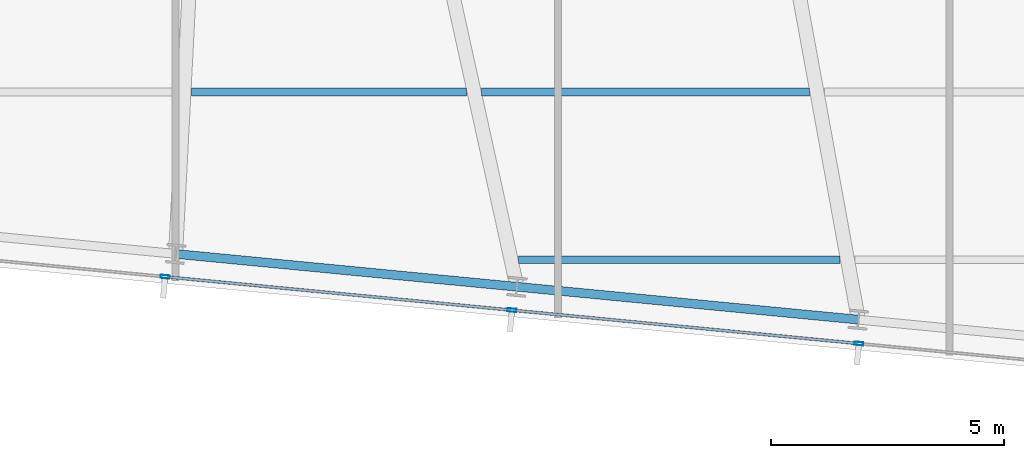
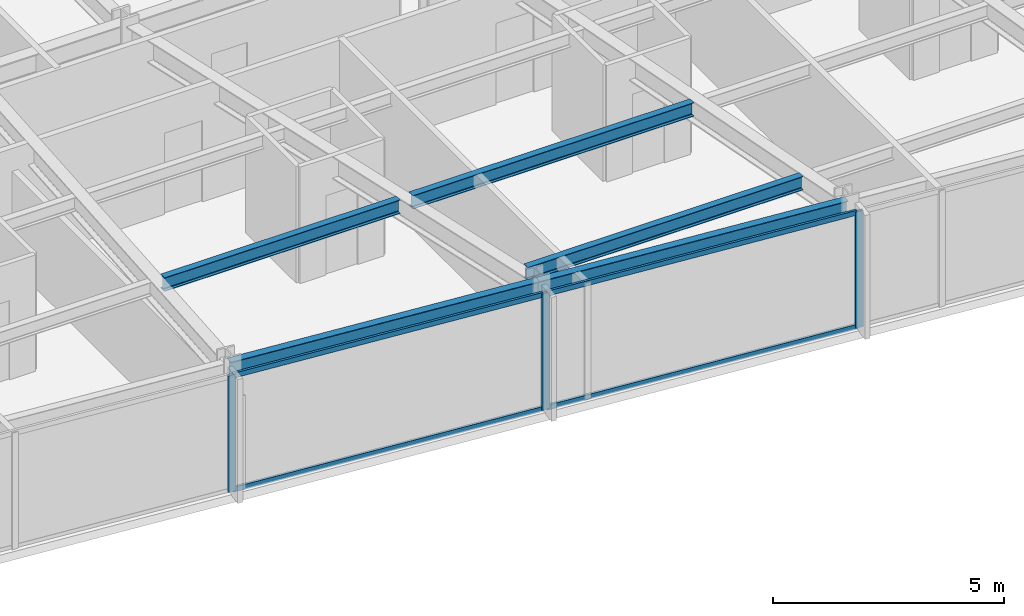
# One storey, part 6 of 37: 7 members, 5 beams, 1 element without a shape of its own.
"""IFC4 building model written with IfcOpenShell, lengths in metres."""

from ifc_helpers import new_model, si_unit, direction, frame, origin, origin_2d, place, context, subcontext, project, spatial, hollow_rectangle, i_section, extrude, material, material_profile, profile_set, type_object, element, aggregate, save


model = new_model("IFC4")

# Units and contexts
model_context = context("Model", 3, precision=1e-05, world=origin(), true_north=direction((0.0, 1.0)))
body_context = subcontext(model_context, "Body", "Model", "MODEL_VIEW")
ifc_project = project(units=[si_unit("LENGTHUNIT", "METRE"), si_unit("AREAUNIT", "SQUARE_METRE"), si_unit("VOLUMEUNIT", "CUBIC_METRE"), si_unit("PLANEANGLEUNIT", "RADIAN"), si_unit("MASSUNIT", "GRAM", prefix="KILO")], contexts=[model_context])

# Site, building, storey
site_placement = place(None, origin())
site = spatial("IfcSite", under=ifc_project, at=site_placement, CompositionType="ELEMENT")
building_placement = place(site_placement, origin())
building = spatial("IfcBuilding", under=site, at=building_placement, Name="Yelkora Congress Tower", CompositionType="ELEMENT")
storey_placement = place(building_placement, frame((0.0, 0.0, 165.5)))
storey = spatial("IfcBuildingStorey", under=building, at=storey_placement, Name="L45", CompositionType="ELEMENT", Elevation=165.5)

# Beams
ifc_material_1 = material(Name="Steel S355J2", Category="steel")
ifc_material_profile_1 = material_profile(ifc_material_1, i_section(OverallWidth=0.169921875, OverallDepth=0.360107421875, WebThickness=0.008056640625, FlangeThickness=0.0126953125, FilletRadius=0.01806640625, at=origin_2d()), Name="IPE 360")
ifc_profile_set_1 = profile_set([ifc_material_profile_1], Name="Steel S355J2")
beam_type_1 = type_object("IfcBeamType", Name="BM-JOIST-IPE360", PredefinedType="JOIST", material=ifc_profile_set_1)
beam_1_placement = place(storey_placement, frame((25.921630859375, 12.8212890625, 2.89990234375), z_axis=(1.0, 0.0, 0.0), x_axis=(0.0, 1.0, 0.0)))
element("IfcBeam", 1, at=beam_1_placement, inside=storey, type_object=beam_type_1, Name="L45 Composite Floor Joist 1", PredefinedType="JOIST", context=body_context, shape_type="SweptSolid", body=[
    extrude(i_section(OverallWidth=0.169921875, OverallDepth=0.360107421875, WebThickness=0.008056640625, FlangeThickness=0.0126953125, FilletRadius=0.01806640625, at=origin_2d()), origin(), (0.0, 0.0, 1.0), 6.896484375),
])
beam_2_placement = place(storey_placement, frame((18.905517578125, 16.421142578125, 2.89990234375), z_axis=(1.0, 0.0, 0.0), x_axis=(0.0, 1.0, 0.0)))
element("IfcBeam", 2, at=beam_2_placement, inside=storey, type_object=beam_type_1, Name="L45 Composite Floor Joist 7", PredefinedType="JOIST", context=body_context, shape_type="SweptSolid", body=[
    extrude(i_section(OverallWidth=0.169921875, OverallDepth=0.360107421875, WebThickness=0.008056640625, FlangeThickness=0.0126953125, FilletRadius=0.01806640625, at=origin_2d()), origin(), (0.0, 0.0, 1.0), 5.904541015625),
])
beam_3_placement = place(storey_placement, frame((25.130126953125, 16.421142578125, 2.89990234375), z_axis=(1.0, 0.0, 0.0), x_axis=(0.0, 1.0, 0.0)))
element("IfcBeam", 3, at=beam_3_placement, inside=storey, type_object=beam_type_1, Name="L45 Composite Floor Joist 8", PredefinedType="JOIST", context=body_context, shape_type="SweptSolid", body=[
    extrude(i_section(OverallWidth=0.169921875, OverallDepth=0.360107421875, WebThickness=0.008056640625, FlangeThickness=0.0126953125, FilletRadius=0.01806640625, at=origin_2d()), origin(), (0.0, 0.0, 1.0), 7.03125),
])
ifc_material_profile_2 = material_profile(ifc_material_1, i_section(OverallWidth=0.18994140625, OverallDepth=0.449951171875, WebThickness=0.009521484375, FlangeThickness=0.0146484375, FilletRadius=0.02099609375, at=origin_2d()), Name="IPE 450")
ifc_profile_set_2 = profile_set([ifc_material_profile_2], Name="Steel S355J2")
beam_type_2 = type_object("IfcBeamType", Name="BM-SPAN-IPE450", PredefinedType="SPANDREL", material=ifc_profile_set_2)
beam_4_placement = place(storey_placement, frame((18.56591796875, 12.947021484375, 2.85498046875), z_axis=(0.99539363353, -0.09587238564, 0.0), x_axis=(0.09587238564, 0.99539363353, 0.0)))
element("IfcBeam", 4, at=beam_4_placement, inside=storey, type_object=beam_type_2, Name="L45 Perimeter Beam 4", PredefinedType="SPANDREL", context=body_context, shape_type="SweptSolid", body=[
    extrude(i_section(OverallWidth=0.18994140625, OverallDepth=0.449951171875, WebThickness=0.009521484375, FlangeThickness=0.0146484375, FilletRadius=0.02099609375, at=origin_2d()), origin(), (0.0, 0.0, 1.0), 7.35693359375),
])
beam_5_placement = place(storey_placement, frame((25.888916015625, 12.24169921875, 2.85498046875), z_axis=(0.995397409467, -0.095833173935, 0.0), x_axis=(0.095833173935, 0.995397409467, 0.0)))
element("IfcBeam", 5, at=beam_5_placement, inside=storey, type_object=beam_type_2, Name="L45 Perimeter Beam 5", PredefinedType="SPANDREL", context=body_context, shape_type="SweptSolid", body=[
    extrude(i_section(OverallWidth=0.18994140625, OverallDepth=0.449951171875, WebThickness=0.009521484375, FlangeThickness=0.0146484375, FilletRadius=0.02099609375, at=origin_2d()), origin(), (0.0, 0.0, 1.0), 7.357421875),
])

# Curtain wall, members
ifc_material_2 = material(Name="Anodised aluminium and insulated glass", Category="aluminium")
curtain_wall_type = type_object("IfcCurtainWallType", Name="CW-SYS-B3", PredefinedType="NOTDEFINED", material=ifc_material_2)
curtain_wall_placement = place(storey_placement, origin())
curtain_wall = element("IfcCurtainWall", 6, at=curtain_wall_placement, inside=storey, type_object=curtain_wall_type, Name="L45 Unitised Curtain Wall 20", PredefinedType="NOTDEFINED")
ifc_material_3 = material(Name="Anodised aluminium 6063-T6", Category="aluminium")
ifc_material_profile_3 = material_profile(ifc_material_3, hollow_rectangle(XDim=0.070068359375, YDim=0.18994140625, WallThickness=0.00390625, at=origin_2d()), Name="ALU 70x190x4")
ifc_profile_set_3 = profile_set([ifc_material_profile_3], Name="Anodised aluminium 6063-T6")
member_type_1 = type_object("IfcMemberType", Name="MEM-ML-B3", PredefinedType="MULLION", material=ifc_profile_set_3)
member_1_placement = place(storey_placement, frame((33.2216796875, 11.0234375, 0.0), z_axis=(0.0, 0.0, 1.0), x_axis=(-0.095844680679, -0.995396301573, 0.0)))
member_1 = element("IfcMember", 7, at=member_1_placement, type_object=member_type_1, Name="CW-B3 mullion 4", PredefinedType="MULLION", context=body_context, shape_type="SweptSolid", body=[
    extrude(hollow_rectangle(XDim=0.070068359375, YDim=0.18994140625, WallThickness=0.00390625, at=origin_2d()), origin(), (0.0, 0.0, 1.0), 3.080078125),
])
member_2_placement = place(storey_placement, frame((25.78173828125, 11.73974609375, 0.0), z_axis=(0.0, 0.0, 1.0), x_axis=(-0.095844680679, -0.995396301573, 0.0)))
member_2 = element("IfcMember", 8, at=member_2_placement, type_object=member_type_1, Name="CW-B3 mullion 5", PredefinedType="MULLION", context=body_context, shape_type="SweptSolid", body=[
    extrude(hollow_rectangle(XDim=0.070068359375, YDim=0.18994140625, WallThickness=0.00390625, at=origin_2d()), origin(), (0.0, 0.0, 1.0), 3.080078125),
])
member_3_placement = place(storey_placement, frame((18.342041015625, 12.4560546875, 0.0), z_axis=(0.0, 0.0, 1.0), x_axis=(-0.095844680679, -0.995396301573, 0.0)))
member_3 = element("IfcMember", 9, at=member_3_placement, type_object=member_type_1, Name="CW-B3 mullion 6", PredefinedType="MULLION", context=body_context, shape_type="SweptSolid", body=[
    extrude(hollow_rectangle(XDim=0.070068359375, YDim=0.18994140625, WallThickness=0.00390625, at=origin_2d()), origin(), (0.0, 0.0, 1.0), 3.080078125),
])
ifc_material_profile_4 = material_profile(ifc_material_3, hollow_rectangle(XDim=0.06005859375, YDim=0.1298828125, WallThickness=0.00390625, at=origin_2d()), Name="ALU 60x130x4")
ifc_profile_set_4 = profile_set([ifc_material_profile_4], Name="Anodised aluminium 6063-T6")
member_type_2 = type_object("IfcMemberType", Name="MEM-TR-B3", PredefinedType="USERDEFINED", material=ifc_profile_set_4)
member_4_placement = place(storey_placement, frame((33.18701171875, 11.02685546875, 0.030029296875), z_axis=(-0.995398934959, 0.095817327669, 0.0), x_axis=(-0.095817327669, -0.995398934959, 0.0)))
member_4 = element("IfcMember", 10, at=member_4_placement, type_object=member_type_2, Name="CW-B3 transom 4.1", ObjectType="TRANSOM", PredefinedType="USERDEFINED", context=body_context, shape_type="SweptSolid", body=[
    extrude(hollow_rectangle(XDim=0.06005859375, YDim=0.1298828125, WallThickness=0.00390625, at=origin_2d()), origin(), (0.0, 0.0, 1.0), 7.404541015625),
])
member_5_placement = place(storey_placement, frame((33.18701171875, 11.02685546875, 3.050048828125), z_axis=(-0.995398934959, 0.095817327669, 0.0), x_axis=(-0.095817327669, -0.995398934959, 0.0)))
member_5 = element("IfcMember", 11, at=member_5_placement, type_object=member_type_2, Name="CW-B3 transom 4.2", ObjectType="TRANSOM", PredefinedType="USERDEFINED", context=body_context, shape_type="SweptSolid", body=[
    extrude(hollow_rectangle(XDim=0.06005859375, YDim=0.1298828125, WallThickness=0.00390625, at=origin_2d()), origin(), (0.0, 0.0, 1.0), 7.404541015625),
])
member_6_placement = place(storey_placement, frame((25.7470703125, 11.7431640625, 0.030029296875), z_axis=(-0.995395789658, 0.095849997036, 0.0), x_axis=(-0.095849997036, -0.995395789658, 0.0)))
member_6 = element("IfcMember", 12, at=member_6_placement, type_object=member_type_2, Name="CW-B3 transom 5.1", ObjectType="TRANSOM", PredefinedType="USERDEFINED", context=body_context, shape_type="SweptSolid", body=[
    extrude(hollow_rectangle(XDim=0.06005859375, YDim=0.1298828125, WallThickness=0.00390625, at=origin_2d()), origin(), (0.0, 0.0, 1.0), 7.404541015625),
])
member_7_placement = place(storey_placement, frame((25.7470703125, 11.7431640625, 3.050048828125), z_axis=(-0.995395789658, 0.095849997036, 0.0), x_axis=(-0.095849997036, -0.995395789658, 0.0)))
member_7 = element("IfcMember", 13, at=member_7_placement, type_object=member_type_2, Name="CW-B3 transom 5.2", ObjectType="TRANSOM", PredefinedType="USERDEFINED", context=body_context, shape_type="SweptSolid", body=[
    extrude(hollow_rectangle(XDim=0.06005859375, YDim=0.1298828125, WallThickness=0.00390625, at=origin_2d()), origin(), (0.0, 0.0, 1.0), 7.404541015625),
])
aggregate(curtain_wall, [member_1, member_2, member_3, member_4, member_5, member_6, member_7])

save(model, "model.ifc")
